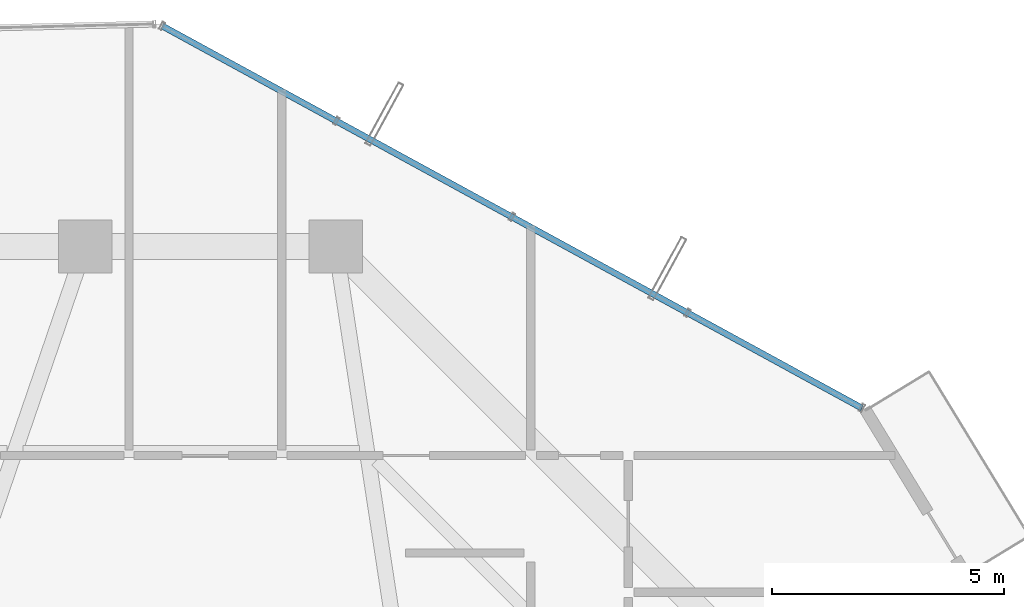
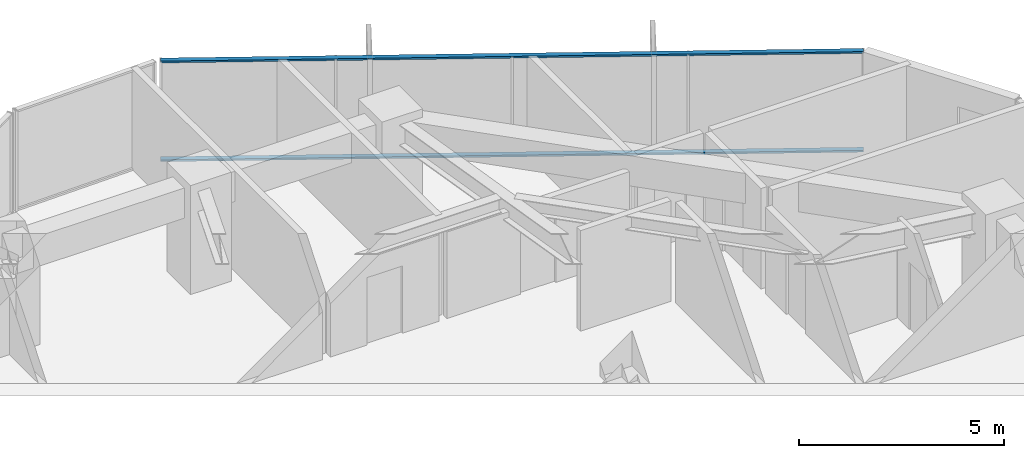
# One storey, part 22 of 31: 2 members, 1 element without a shape of its own.
"""IFC4 building model written with IfcOpenShell, lengths in metres."""

from ifc_helpers import new_model, si_unit, direction, frame, origin, origin_2d, place, context, subcontext, project, spatial, hollow_rectangle, extrude, source, transform, mapped, material, layer, layer_set, material_profile, profile_set, type_object, element, aggregate, save


model = new_model("IFC4")

# Units and contexts
model_context = context("Model", 3, precision=1e-05, world=origin(), true_north=direction((0.0, 1.0)))
body_context = subcontext(model_context, "Body", "Model", "MODEL_VIEW")
ifc_project = project(units=[si_unit("LENGTHUNIT", "METRE"), si_unit("AREAUNIT", "SQUARE_METRE"), si_unit("VOLUMEUNIT", "CUBIC_METRE"), si_unit("PLANEANGLEUNIT", "RADIAN"), si_unit("MASSUNIT", "GRAM", prefix="KILO")], contexts=[model_context])

# Site, building, storey
site_placement = place(None, origin())
site = spatial("IfcSite", under=ifc_project, at=site_placement, CompositionType="ELEMENT")
building_placement = place(site_placement, origin())
building = spatial("IfcBuilding", under=site, at=building_placement, Name="Veraguas Prism Commons", CompositionType="ELEMENT")
storey_placement = place(building_placement, frame((0.0, 0.0, 132.75)))
storey = spatial("IfcBuildingStorey", under=building, at=storey_placement, Name="L37", CompositionType="ELEMENT", Elevation=132.75)

# Curtain wall, members
ifc_material = material(Name="Anodised aluminium EN AW-6063 T6", Category="aluminium")
ifc_layer = layer(ifc_material, 0.169921875, Name="Unitised Flush Curtain Wall Zone 2", Category="aluminium")
ifc_layer_set = layer_set([ifc_layer], Name="Anodised aluminium EN AW-6063 T6")
curtain_wall_type = type_object("IfcCurtainWallType", Name="Unitised Flush Curtain Wall Zone 2", PredefinedType="NOTDEFINED", material=ifc_layer_set)
curtain_wall_placement = place(storey_placement, origin())
curtain_wall = element("IfcCurtainWall", 1, at=curtain_wall_placement, inside=storey, type_object=curtain_wall_type, Name="Tower Facade Curtain Wall L37-F1", PredefinedType="NOTDEFINED")
ifc_material_profile = material_profile(ifc_material, hollow_rectangle(XDim=0.054931640625, YDim=0.135009765625, WallThickness=0.0029296875, at=origin_2d()), Name="AL55X135X3")
ifc_profile_set = profile_set([ifc_material_profile], Name="Anodised aluminium EN AW-6063 T6")
member_type = type_object("IfcMemberType", Name="Curtain Wall Transom Standard AL 55x135x3", PredefinedType="USERDEFINED", material=ifc_profile_set)
shared_shape = source(origin(), body_context, "Body", "SweptSolid", [
    extrude(hollow_rectangle(XDim=0.054931640625, YDim=0.135009765625, WallThickness=0.0029296875, at=origin_2d()), origin(), (0.0, 0.0, 1.0), 17.17431640625),
])
member_1_placement = place(storey_placement, frame((40.730712890625, 36.719482421875, 0.027587890625), z_axis=(-0.877643377269, 0.479314200015, 0.0), x_axis=(0.0, 0.0, 1.0)))
member_1 = element("IfcMember", 2, at=member_1_placement, type_object=member_type, Name="CW-Z2 Transom 1", ObjectType="TRANSOM", PredefinedType="USERDEFINED", context=body_context, shape_type="MappedRepresentation", body=[
    mapped(shared_shape, transform((0.0, 0.0, 0.0), scale=1.0)),
])
member_2_placement = place(storey_placement, frame((40.730712890625, 36.719482421875, 2.972412109375), z_axis=(-0.877643377269, 0.479314200015, 0.0), x_axis=(0.0, 0.0, 1.0)))
member_2 = element("IfcMember", 3, at=member_2_placement, type_object=member_type, Name="CW-Z2 Transom 2", ObjectType="TRANSOM", PredefinedType="USERDEFINED", context=body_context, shape_type="MappedRepresentation", body=[
    mapped(shared_shape, transform((0.0, 0.0, 0.0), scale=1.0)),
])
aggregate(curtain_wall, [member_1, member_2])

save(model, "model.ifc")
